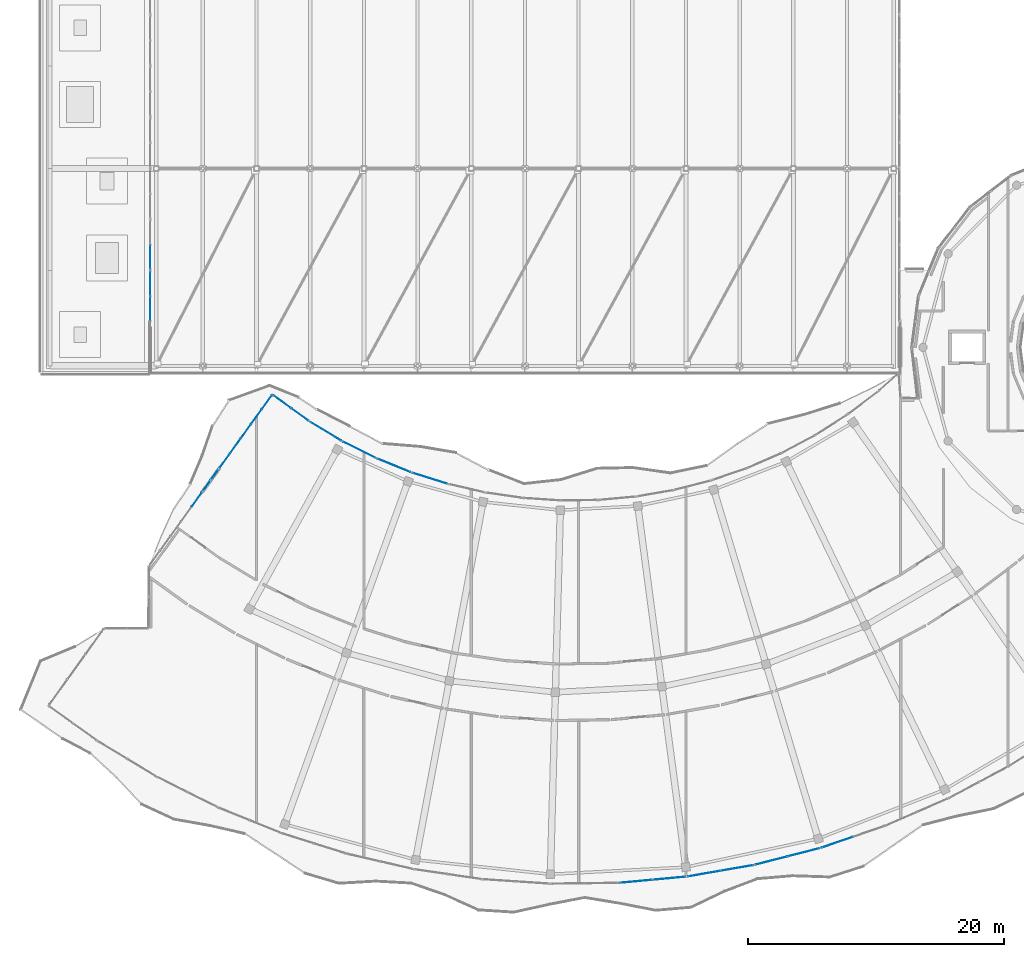
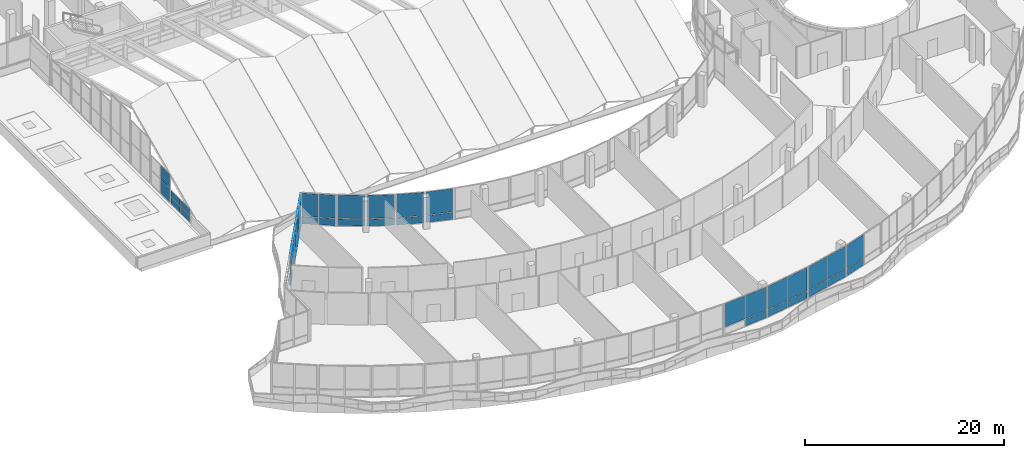
# One storey, part 143 of 184: 51 plates, 14 elements without a shape of their own.
"""IFC4 building model written with IfcOpenShell, lengths in metres."""

from ifc_helpers import new_model, si_unit, direction, frame, origin, origin_2d, place, context, subcontext, project, spatial, rectangle, extrude, material, layer, layer_set, type_object, element, aggregate, save


model = new_model("IFC4")

# Units and contexts
model_context = context("Model", 3, precision=1e-05, world=origin(), true_north=direction((0.0, 1.0)))
body_context = subcontext(model_context, "Body", "Model", "MODEL_VIEW")
ifc_project = project(units=[si_unit("LENGTHUNIT", "METRE"), si_unit("AREAUNIT", "SQUARE_METRE"), si_unit("VOLUMEUNIT", "CUBIC_METRE"), si_unit("PLANEANGLEUNIT", "RADIAN"), si_unit("MASSUNIT", "GRAM", prefix="KILO")], contexts=[model_context])

# Site, building, storey
site_placement = place(None, origin())
site = spatial("IfcSite", under=ifc_project, at=site_placement, CompositionType="ELEMENT")
building_placement = place(site_placement, origin())
building = spatial("IfcBuilding", under=site, at=building_placement, Name="Selatvlak General Hospital", CompositionType="ELEMENT")
storey_placement = place(building_placement, frame((0.0, 0.0, 15.0)))
storey = spatial("IfcBuildingStorey", under=building, at=storey_placement, Name="L03", CompositionType="ELEMENT", Elevation=15.0)

# Curtain wall, plates
ifc_material = material(Name="Solar-control Low-E double glazing", Category="glass")
curtain_wall_type_1 = type_object("IfcCurtainWallType", Name="CW-CW-01", PredefinedType="USERDEFINED", material=ifc_material)
curtain_wall_1_placement = place(storey_placement, origin())
curtain_wall_1 = element("IfcCurtainWall", 1, at=curtain_wall_1_placement, inside=storey, type_object=curtain_wall_type_1, Name="Glazed facade curtain wall CW-L03-0423", ObjectType="UNITISED CURTAIN WALL", PredefinedType="USERDEFINED")
ifc_layer = layer(ifc_material, 0.028076171875, Name="Solar-control Low-E double glazing", Category="glass")
ifc_layer_set = layer_set([ifc_layer], Name="Solar-control Low-E double glazing")
plate_type = type_object("IfcPlateType", Name="CWP-01", PredefinedType="CURTAIN_PANEL", material=ifc_layer_set)
plate_1_placement = place(storey_placement, frame((76.651123046875, 15.278564453125, 0.06494140625), z_axis=(0.0, 0.0, 1.0), x_axis=(-0.945848129563, -0.324609481996, 0.0)))
plate_1 = element("IfcPlate", 2, at=plate_1_placement, type_object=plate_type, Name="CW-01 panel 2.1", PredefinedType="CURTAIN_PANEL", context=body_context, shape_type="SweptSolid", body=[
    extrude(rectangle(XDim=2.547119140625, YDim=0.028076171875, at=origin_2d()), origin(), (0.0, 0.0, 1.0), 0.8525390625),
])
plate_2_placement = place(storey_placement, frame((76.651123046875, 15.278564453125, 0.982421875), z_axis=(0.0, 0.0, 1.0), x_axis=(-0.945848129563, -0.324609481996, 0.0)))
plate_2 = element("IfcPlate", 3, at=plate_2_placement, type_object=plate_type, Name="CW-01 panel 2.2", PredefinedType="CURTAIN_PANEL", context=body_context, shape_type="SweptSolid", body=[
    extrude(rectangle(XDim=2.547119140625, YDim=0.028076171875, at=origin_2d()), origin(), (0.0, 0.0, 1.0), 2.847412109375),
])
aggregate(curtain_wall_1, [plate_1, plate_2])

curtain_wall_type_2 = type_object("IfcCurtainWallType", Name="CW-CW-02", PredefinedType="USERDEFINED", material=ifc_material)
curtain_wall_2_placement = place(storey_placement, origin())
curtain_wall_2 = element("IfcCurtainWall", 4, at=curtain_wall_2_placement, inside=storey, type_object=curtain_wall_type_2, Name="Glazed facade curtain wall CW-L03-0424", ObjectType="UNITISED CURTAIN WALL", PredefinedType="USERDEFINED")
plate_3_placement = place(storey_placement, frame((74.012939453125, 14.49072265625, 0.06494140625), z_axis=(0.0, 0.0, 1.0), x_axis=(-0.968620644098, -0.248543854938, 0.0)))
plate_3 = element("IfcPlate", 5, at=plate_3_placement, type_object=plate_type, Name="CW-02 panel 1.1", PredefinedType="CURTAIN_PANEL", context=body_context, shape_type="SweptSolid", body=[
    extrude(rectangle(XDim=2.5439453125, YDim=0.028076171875, at=origin_2d()), origin(), (0.0, 0.0, 1.0), 0.8525390625),
])
plate_4_placement = place(storey_placement, frame((74.012939453125, 14.49072265625, 0.982421875), z_axis=(0.0, 0.0, 1.0), x_axis=(-0.968620644098, -0.248543854938, 0.0)))
plate_4 = element("IfcPlate", 6, at=plate_4_placement, type_object=plate_type, Name="CW-02 panel 1.2", PredefinedType="CURTAIN_PANEL", context=body_context, shape_type="SweptSolid", body=[
    extrude(rectangle(XDim=2.5439453125, YDim=0.028076171875, at=origin_2d()), origin(), (0.0, 0.0, 1.0), 2.847412109375),
])
plate_5_placement = place(storey_placement, frame((71.486083984375, 13.84228515625, 0.06494140625), z_axis=(0.0, 0.0, 1.0), x_axis=(-0.968620644098, -0.248543854938, 0.0)))
plate_5 = element("IfcPlate", 7, at=plate_5_placement, type_object=plate_type, Name="CW-02 panel 2.1", PredefinedType="CURTAIN_PANEL", context=body_context, shape_type="SweptSolid", body=[
    extrude(rectangle(XDim=2.5439453125, YDim=0.028076171875, at=origin_2d()), origin(), (0.0, 0.0, 1.0), 0.8525390625),
])
plate_6_placement = place(storey_placement, frame((71.486083984375, 13.84228515625, 0.982421875), z_axis=(0.0, 0.0, 1.0), x_axis=(-0.968620644098, -0.248543854938, 0.0)))
plate_6 = element("IfcPlate", 8, at=plate_6_placement, type_object=plate_type, Name="CW-02 panel 2.2", PredefinedType="CURTAIN_PANEL", context=body_context, shape_type="SweptSolid", body=[
    extrude(rectangle(XDim=2.5439453125, YDim=0.028076171875, at=origin_2d()), origin(), (0.0, 0.0, 1.0), 2.847412109375),
])
aggregate(curtain_wall_2, [plate_3, plate_4, plate_5, plate_6])

curtain_wall_3_placement = place(storey_placement, origin())
curtain_wall_3 = element("IfcCurtainWall", 9, at=curtain_wall_3_placement, inside=storey, type_object=curtain_wall_type_1, Name="Glazed facade curtain wall CW-L03-0425", ObjectType="UNITISED CURTAIN WALL", PredefinedType="USERDEFINED")
plate_7_placement = place(storey_placement, frame((68.7939453125, 13.265380859375, 0.06494140625), z_axis=(0.0, 0.0, 1.0), x_axis=(-0.985299104881, -0.170838151242, 0.0)))
plate_7 = element("IfcPlate", 10, at=plate_7_placement, type_object=plate_type, Name="CW-01 panel 1.1", PredefinedType="CURTAIN_PANEL", context=body_context, shape_type="SweptSolid", body=[
    extrude(rectangle(XDim=2.54541015625, YDim=0.028076171875, at=origin_2d()), origin(), (0.0, 0.0, 1.0), 0.8525390625),
])
plate_8_placement = place(storey_placement, frame((68.7939453125, 13.265380859375, 0.982421875), z_axis=(0.0, 0.0, 1.0), x_axis=(-0.985299104881, -0.170838151242, 0.0)))
plate_8 = element("IfcPlate", 11, at=plate_8_placement, type_object=plate_type, Name="CW-01 panel 1.2", PredefinedType="CURTAIN_PANEL", context=body_context, shape_type="SweptSolid", body=[
    extrude(rectangle(XDim=2.54541015625, YDim=0.028076171875, at=origin_2d()), origin(), (0.0, 0.0, 1.0), 2.847412109375),
])
plate_9_placement = place(storey_placement, frame((66.221923828125, 12.819580078125, 0.06494140625), z_axis=(0.0, 0.0, 1.0), x_axis=(-0.985299104881, -0.170838151242, 0.0)))
plate_9 = element("IfcPlate", 12, at=plate_9_placement, type_object=plate_type, Name="CW-01 panel 2.1", PredefinedType="CURTAIN_PANEL", context=body_context, shape_type="SweptSolid", body=[
    extrude(rectangle(XDim=2.54541015625, YDim=0.028076171875, at=origin_2d()), origin(), (0.0, 0.0, 1.0), 0.8525390625),
])
plate_10_placement = place(storey_placement, frame((66.221923828125, 12.819580078125, 0.982421875), z_axis=(0.0, 0.0, 1.0), x_axis=(-0.985299104881, -0.170838151242, 0.0)))
plate_10 = element("IfcPlate", 13, at=plate_10_placement, type_object=plate_type, Name="CW-01 panel 2.2", PredefinedType="CURTAIN_PANEL", context=body_context, shape_type="SweptSolid", body=[
    extrude(rectangle(XDim=2.54541015625, YDim=0.028076171875, at=origin_2d()), origin(), (0.0, 0.0, 1.0), 2.847412109375),
])
aggregate(curtain_wall_3, [plate_7, plate_8, plate_9, plate_10])

curtain_wall_4_placement = place(storey_placement, origin())
curtain_wall_4 = element("IfcCurtainWall", 14, at=curtain_wall_4_placement, inside=storey, type_object=curtain_wall_type_2, Name="Glazed facade curtain wall CW-L03-0426", ObjectType="UNITISED CURTAIN WALL", PredefinedType="USERDEFINED")
plate_11_placement = place(storey_placement, frame((63.491455078125, 12.45849609375, 0.06494140625), z_axis=(0.0, 0.0, 1.0), x_axis=(-0.995731988381, -0.092291967773, 0.0)))
plate_11 = element("IfcPlate", 15, at=plate_11_placement, type_object=plate_type, Name="CW-02 panel 1.1", PredefinedType="CURTAIN_PANEL", context=body_context, shape_type="SweptSolid", body=[
    extrude(rectangle(XDim=2.54638671875, YDim=0.028076171875, at=origin_2d()), origin(), (0.0, 0.0, 1.0), 0.8525390625),
])
plate_12_placement = place(storey_placement, frame((63.491455078125, 12.45849609375, 0.982421875), z_axis=(0.0, 0.0, 1.0), x_axis=(-0.995731988381, -0.092291967773, 0.0)))
plate_12 = element("IfcPlate", 16, at=plate_12_placement, type_object=plate_type, Name="CW-02 panel 1.2", PredefinedType="CURTAIN_PANEL", context=body_context, shape_type="SweptSolid", body=[
    extrude(rectangle(XDim=2.54638671875, YDim=0.028076171875, at=origin_2d()), origin(), (0.0, 0.0, 1.0), 2.847412109375),
])
plate_13_placement = place(storey_placement, frame((60.891357421875, 12.217529296875, 0.982421875), z_axis=(0.0, 0.0, 1.0), x_axis=(-0.995731988381, -0.092291967773, 0.0)))
plate_13 = element("IfcPlate", 17, at=plate_13_placement, type_object=plate_type, Name="CW-02 panel 2.2", PredefinedType="CURTAIN_PANEL", context=body_context, shape_type="SweptSolid", body=[
    extrude(rectangle(XDim=2.54638671875, YDim=0.028076171875, at=origin_2d()), origin(), (0.0, 0.0, 1.0), 2.847412109375),
])
aggregate(curtain_wall_4, [plate_11, plate_12, plate_13])

curtain_wall_5_placement = place(storey_placement, origin())
curtain_wall_5 = element("IfcCurtainWall", 18, at=curtain_wall_5_placement, inside=storey, type_object=curtain_wall_type_2, Name="Glazed facade curtain wall CW-L03-0439", ObjectType="UNITISED CURTAIN WALL", PredefinedType="USERDEFINED")
plate_14_placement = place(storey_placement, frame((27.29638671875, 43.158203125, 2.384765625), z_axis=(0.0, 0.0, 1.0), x_axis=(0.583236596029, 0.812302328602, 0.0)))
plate_14 = element("IfcPlate", 19, at=plate_14_placement, type_object=plate_type, Name="CW-02 panel 1.1", PredefinedType="CURTAIN_PANEL", context=body_context, shape_type="SweptSolid", body=[
    extrude(rectangle(XDim=1.03759765625, YDim=0.028076171875, at=origin_2d()), origin(), (0.0, 0.0, 1.0), 1.445068359375),
])
plate_15_placement = place(storey_placement, frame((27.939453125, 44.0537109375, 2.384765625), z_axis=(0.0, 0.0, 1.0), x_axis=(0.583236596029, 0.812302328602, 0.0)))
plate_15 = element("IfcPlate", 20, at=plate_15_placement, type_object=plate_type, Name="CW-02 panel 2.1", PredefinedType="CURTAIN_PANEL", context=body_context, shape_type="SweptSolid", body=[
    extrude(rectangle(XDim=1.03759765625, YDim=0.028076171875, at=origin_2d()), origin(), (0.0, 0.0, 1.0), 1.445068359375),
])
aggregate(curtain_wall_5, [plate_14, plate_15])

curtain_wall_6_placement = place(storey_placement, origin())
curtain_wall_6 = element("IfcCurtainWall", 21, at=curtain_wall_6_placement, inside=storey, type_object=curtain_wall_type_1, Name="Glazed facade curtain wall CW-L03-0440", ObjectType="UNITISED CURTAIN WALL", PredefinedType="USERDEFINED")
plate_16_placement = place(storey_placement, frame((26.5185546875, 42.076904296875, 0.06494140625), z_axis=(0.0, 0.0, 1.0), x_axis=(0.583929474196, 0.81180439095, 0.0)))
plate_16 = element("IfcPlate", 22, at=plate_16_placement, type_object=plate_type, Name="CW-01 panel 5.1", PredefinedType="CURTAIN_PANEL", context=body_context, shape_type="SweptSolid", body=[
    extrude(rectangle(XDim=1.306884765625, YDim=0.028076171875, at=origin_2d()), origin(), (0.0, 0.0, 1.0), 0.802490234375),
])
plate_17_placement = place(storey_placement, frame((26.5185546875, 42.076904296875, 0.9326171875), z_axis=(0.0, 0.0, 1.0), x_axis=(0.583929474196, 0.81180439095, 0.0)))
plate_17 = element("IfcPlate", 23, at=plate_17_placement, type_object=plate_type, Name="CW-01 panel 5.2", PredefinedType="CURTAIN_PANEL", context=body_context, shape_type="SweptSolid", body=[
    extrude(rectangle(XDim=1.306884765625, YDim=0.028076171875, at=origin_2d()), origin(), (0.0, 0.0, 1.0), 2.280029296875),
])
plate_18_placement = place(storey_placement, frame((26.5185546875, 42.076904296875, 3.27734375), z_axis=(0.0, 0.0, 1.0), x_axis=(0.583929474196, 0.81180439095, 0.0)))
plate_18 = element("IfcPlate", 24, at=plate_18_placement, type_object=plate_type, Name="CW-01 panel 5.3", PredefinedType="CURTAIN_PANEL", context=body_context, shape_type="SweptSolid", body=[
    extrude(rectangle(XDim=1.306884765625, YDim=0.028076171875, at=origin_2d()), origin(), (0.0, 0.0, 1.0), 0.552490234375),
])
aggregate(curtain_wall_6, [plate_16, plate_17, plate_18])

curtain_wall_7_placement = place(storey_placement, origin())
curtain_wall_7 = element("IfcCurtainWall", 25, at=curtain_wall_7_placement, inside=storey, type_object=curtain_wall_type_1, Name="Glazed facade curtain wall CW-L03-0441", ObjectType="UNITISED CURTAIN WALL", PredefinedType="USERDEFINED")
plate_19_placement = place(storey_placement, frame((28.720458984375, 45.139404296875, 0.06494140625), z_axis=(0.0, 0.0, 1.0), x_axis=(0.583883694145, 0.811837318502, 0.0)))
plate_19 = element("IfcPlate", 26, at=plate_19_placement, type_object=plate_type, Name="CW-01 panel 1.1", PredefinedType="CURTAIN_PANEL", context=body_context, shape_type="SweptSolid", body=[
    extrude(rectangle(XDim=1.31689453125, YDim=0.028076171875, at=origin_2d()), origin(), (0.0, 0.0, 1.0), 0.802490234375),
])
plate_20_placement = place(storey_placement, frame((28.720458984375, 45.139404296875, 0.9326171875), z_axis=(0.0, 0.0, 1.0), x_axis=(0.583883694145, 0.811837318502, 0.0)))
plate_20 = element("IfcPlate", 27, at=plate_20_placement, type_object=plate_type, Name="CW-01 panel 1.2", PredefinedType="CURTAIN_PANEL", context=body_context, shape_type="SweptSolid", body=[
    extrude(rectangle(XDim=1.31689453125, YDim=0.028076171875, at=origin_2d()), origin(), (0.0, 0.0, 1.0), 2.280029296875),
])
plate_21_placement = place(storey_placement, frame((28.720458984375, 45.139404296875, 3.27734375), z_axis=(0.0, 0.0, 1.0), x_axis=(0.583883694145, 0.811837318502, 0.0)))
plate_21 = element("IfcPlate", 28, at=plate_21_placement, type_object=plate_type, Name="CW-01 panel 1.3", PredefinedType="CURTAIN_PANEL", context=body_context, shape_type="SweptSolid", body=[
    extrude(rectangle(XDim=1.31689453125, YDim=0.028076171875, at=origin_2d()), origin(), (0.0, 0.0, 1.0), 0.552490234375),
])
plate_22_placement = place(storey_placement, frame((29.53662109375, 46.2744140625, 0.06494140625), z_axis=(0.0, 0.0, 1.0), x_axis=(0.583883694145, 0.811837318502, 0.0)))
plate_22 = element("IfcPlate", 29, at=plate_22_placement, type_object=plate_type, Name="CW-01 panel 2.1", PredefinedType="CURTAIN_PANEL", context=body_context, shape_type="SweptSolid", body=[
    extrude(rectangle(XDim=1.349365234375, YDim=0.028076171875, at=origin_2d()), origin(), (0.0, 0.0, 1.0), 0.802490234375),
])
plate_23_placement = place(storey_placement, frame((29.53662109375, 46.2744140625, 0.9326171875), z_axis=(0.0, 0.0, 1.0), x_axis=(0.583883694145, 0.811837318502, 0.0)))
plate_23 = element("IfcPlate", 30, at=plate_23_placement, type_object=plate_type, Name="CW-01 panel 2.2", PredefinedType="CURTAIN_PANEL", context=body_context, shape_type="SweptSolid", body=[
    extrude(rectangle(XDim=1.349365234375, YDim=0.028076171875, at=origin_2d()), origin(), (0.0, 0.0, 1.0), 2.280029296875),
])
plate_24_placement = place(storey_placement, frame((29.53662109375, 46.2744140625, 3.27734375), z_axis=(0.0, 0.0, 1.0), x_axis=(0.583883694145, 0.811837318502, 0.0)))
plate_24 = element("IfcPlate", 31, at=plate_24_placement, type_object=plate_type, Name="CW-01 panel 2.3", PredefinedType="CURTAIN_PANEL", context=body_context, shape_type="SweptSolid", body=[
    extrude(rectangle(XDim=1.349365234375, YDim=0.028076171875, at=origin_2d()), origin(), (0.0, 0.0, 1.0), 0.552490234375),
])
plate_25_placement = place(storey_placement, frame((30.362548828125, 47.422607421875, 0.06494140625), z_axis=(0.0, 0.0, 1.0), x_axis=(0.583883694145, 0.811837318502, 0.0)))
plate_25 = element("IfcPlate", 32, at=plate_25_placement, type_object=plate_type, Name="CW-01 panel 3.1", PredefinedType="CURTAIN_PANEL", context=body_context, shape_type="SweptSolid", body=[
    extrude(rectangle(XDim=1.349365234375, YDim=0.028076171875, at=origin_2d()), origin(), (0.0, 0.0, 1.0), 0.802490234375),
])
plate_26_placement = place(storey_placement, frame((30.362548828125, 47.422607421875, 0.9326171875), z_axis=(0.0, 0.0, 1.0), x_axis=(0.583883694145, 0.811837318502, 0.0)))
plate_26 = element("IfcPlate", 33, at=plate_26_placement, type_object=plate_type, Name="CW-01 panel 3.2", PredefinedType="CURTAIN_PANEL", context=body_context, shape_type="SweptSolid", body=[
    extrude(rectangle(XDim=1.349365234375, YDim=0.028076171875, at=origin_2d()), origin(), (0.0, 0.0, 1.0), 2.280029296875),
])
plate_27_placement = place(storey_placement, frame((30.362548828125, 47.422607421875, 3.27734375), z_axis=(0.0, 0.0, 1.0), x_axis=(0.583883694145, 0.811837318502, 0.0)))
plate_27 = element("IfcPlate", 34, at=plate_27_placement, type_object=plate_type, Name="CW-01 panel 3.3", PredefinedType="CURTAIN_PANEL", context=body_context, shape_type="SweptSolid", body=[
    extrude(rectangle(XDim=1.349365234375, YDim=0.028076171875, at=origin_2d()), origin(), (0.0, 0.0, 1.0), 0.552490234375),
])
plate_28_placement = place(storey_placement, frame((31.188232421875, 48.57080078125, 0.06494140625), z_axis=(0.0, 0.0, 1.0), x_axis=(0.583883694145, 0.811837318502, 0.0)))
plate_28 = element("IfcPlate", 35, at=plate_28_placement, type_object=plate_type, Name="CW-01 panel 4.1", PredefinedType="CURTAIN_PANEL", context=body_context, shape_type="SweptSolid", body=[
    extrude(rectangle(XDim=1.349365234375, YDim=0.028076171875, at=origin_2d()), origin(), (0.0, 0.0, 1.0), 0.802490234375),
])
plate_29_placement = place(storey_placement, frame((31.188232421875, 48.57080078125, 0.9326171875), z_axis=(0.0, 0.0, 1.0), x_axis=(0.583883694145, 0.811837318502, 0.0)))
plate_29 = element("IfcPlate", 36, at=plate_29_placement, type_object=plate_type, Name="CW-01 panel 4.2", PredefinedType="CURTAIN_PANEL", context=body_context, shape_type="SweptSolid", body=[
    extrude(rectangle(XDim=1.349365234375, YDim=0.028076171875, at=origin_2d()), origin(), (0.0, 0.0, 1.0), 2.280029296875),
])
plate_30_placement = place(storey_placement, frame((31.188232421875, 48.57080078125, 3.27734375), z_axis=(0.0, 0.0, 1.0), x_axis=(0.583883694145, 0.811837318502, 0.0)))
plate_30 = element("IfcPlate", 37, at=plate_30_placement, type_object=plate_type, Name="CW-01 panel 4.3", PredefinedType="CURTAIN_PANEL", context=body_context, shape_type="SweptSolid", body=[
    extrude(rectangle(XDim=1.349365234375, YDim=0.028076171875, at=origin_2d()), origin(), (0.0, 0.0, 1.0), 0.552490234375),
])
plate_31_placement = place(storey_placement, frame((32.004638671875, 49.705810546875, 0.06494140625), z_axis=(0.0, 0.0, 1.0), x_axis=(0.583883694145, 0.811837318502, 0.0)))
plate_31 = element("IfcPlate", 38, at=plate_31_placement, type_object=plate_type, Name="CW-01 panel 5.1", PredefinedType="CURTAIN_PANEL", context=body_context, shape_type="SweptSolid", body=[
    extrude(rectangle(XDim=1.31689453125, YDim=0.028076171875, at=origin_2d()), origin(), (0.0, 0.0, 1.0), 0.802490234375),
])
plate_32_placement = place(storey_placement, frame((32.004638671875, 49.705810546875, 0.9326171875), z_axis=(0.0, 0.0, 1.0), x_axis=(0.583883694145, 0.811837318502, 0.0)))
plate_32 = element("IfcPlate", 39, at=plate_32_placement, type_object=plate_type, Name="CW-01 panel 5.2", PredefinedType="CURTAIN_PANEL", context=body_context, shape_type="SweptSolid", body=[
    extrude(rectangle(XDim=1.31689453125, YDim=0.028076171875, at=origin_2d()), origin(), (0.0, 0.0, 1.0), 2.280029296875),
])
plate_33_placement = place(storey_placement, frame((32.004638671875, 49.705810546875, 3.27734375), z_axis=(0.0, 0.0, 1.0), x_axis=(0.583883694145, 0.811837318502, 0.0)))
plate_33 = element("IfcPlate", 40, at=plate_33_placement, type_object=plate_type, Name="CW-01 panel 5.3", PredefinedType="CURTAIN_PANEL", context=body_context, shape_type="SweptSolid", body=[
    extrude(rectangle(XDim=1.31689453125, YDim=0.028076171875, at=origin_2d()), origin(), (0.0, 0.0, 1.0), 0.552490234375),
])
aggregate(curtain_wall_7, [plate_19, plate_20, plate_21, plate_22, plate_23, plate_24, plate_25, plate_26, plate_27, plate_28, plate_29, plate_30, plate_31, plate_32, plate_33])

curtain_wall_8_placement = place(storey_placement, origin())
curtain_wall_8 = element("IfcCurtainWall", 41, at=curtain_wall_8_placement, inside=storey, type_object=curtain_wall_type_2, Name="Glazed facade curtain wall CW-L03-0442", ObjectType="UNITISED CURTAIN WALL", PredefinedType="USERDEFINED")
plate_34_placement = place(storey_placement, frame((33.208984375, 49.7451171875, 0.06494140625), z_axis=(0.0, 0.0, 1.0), x_axis=(0.810082716622, -0.58631560804, 0.0)))
plate_34 = element("IfcPlate", 42, at=plate_34_placement, type_object=plate_type, Name="CW-02 panel 1.1", PredefinedType="CURTAIN_PANEL", context=body_context, shape_type="SweptSolid", body=[
    extrude(rectangle(XDim=1.64990234375, YDim=0.028076171875, at=origin_2d()), origin(), (0.0, 0.0, 1.0), 0.8525390625),
])
plate_35_placement = place(storey_placement, frame((33.208984375, 49.7451171875, 0.982421875), z_axis=(0.0, 0.0, 1.0), x_axis=(0.810082716622, -0.58631560804, 0.0)))
plate_35 = element("IfcPlate", 43, at=plate_35_placement, type_object=plate_type, Name="CW-02 panel 1.2", PredefinedType="CURTAIN_PANEL", context=body_context, shape_type="SweptSolid", body=[
    extrude(rectangle(XDim=1.64990234375, YDim=0.028076171875, at=origin_2d()), origin(), (0.0, 0.0, 1.0), 2.847412109375),
])
plate_36_placement = place(storey_placement, frame((34.59814453125, 48.73974609375, 0.06494140625), z_axis=(0.0, 0.0, 1.0), x_axis=(0.810082716622, -0.58631560804, 0.0)))
plate_36 = element("IfcPlate", 44, at=plate_36_placement, type_object=plate_type, Name="CW-02 panel 2.1", PredefinedType="CURTAIN_PANEL", context=body_context, shape_type="SweptSolid", body=[
    extrude(rectangle(XDim=1.64990234375, YDim=0.028076171875, at=origin_2d()), origin(), (0.0, 0.0, 1.0), 0.8525390625),
])
plate_37_placement = place(storey_placement, frame((34.59814453125, 48.73974609375, 0.982421875), z_axis=(0.0, 0.0, 1.0), x_axis=(0.810082716622, -0.58631560804, 0.0)))
plate_37 = element("IfcPlate", 45, at=plate_37_placement, type_object=plate_type, Name="CW-02 panel 2.2", PredefinedType="CURTAIN_PANEL", context=body_context, shape_type="SweptSolid", body=[
    extrude(rectangle(XDim=1.64990234375, YDim=0.028076171875, at=origin_2d()), origin(), (0.0, 0.0, 1.0), 2.847412109375),
])
aggregate(curtain_wall_8, [plate_34, plate_35, plate_36, plate_37])

curtain_wall_9_placement = place(storey_placement, origin())
curtain_wall_9 = element("IfcCurtainWall", 46, at=curtain_wall_9_placement, inside=storey, type_object=curtain_wall_type_1, Name="Glazed facade curtain wall CW-L03-0443", ObjectType="UNITISED CURTAIN WALL", PredefinedType="USERDEFINED")
plate_38_placement = place(storey_placement, frame((36.62744140625, 47.425048828125, 0.06494140625), z_axis=(0.0, 0.0, 1.0), x_axis=(0.85575329293, -0.517384094885, 0.0)))
plate_38 = element("IfcPlate", 47, at=plate_38_placement, type_object=plate_type, Name="CW-01 panel 1.1", PredefinedType="CURTAIN_PANEL", context=body_context, shape_type="SweptSolid", body=[
    extrude(rectangle(XDim=2.769287109375, YDim=0.028076171875, at=origin_2d()), origin(), (0.0, 0.0, 1.0), 0.8525390625),
])
plate_39_placement = place(storey_placement, frame((36.62744140625, 47.425048828125, 0.982421875), z_axis=(0.0, 0.0, 1.0), x_axis=(0.85575329293, -0.517384094885, 0.0)))
plate_39 = element("IfcPlate", 48, at=plate_39_placement, type_object=plate_type, Name="CW-01 panel 1.2", PredefinedType="CURTAIN_PANEL", context=body_context, shape_type="SweptSolid", body=[
    extrude(rectangle(XDim=2.769287109375, YDim=0.028076171875, at=origin_2d()), origin(), (0.0, 0.0, 1.0), 2.847412109375),
])
aggregate(curtain_wall_9, [plate_38, plate_39])

curtain_wall_10_placement = place(storey_placement, origin())
curtain_wall_10 = element("IfcCurtainWall", 49, at=curtain_wall_10_placement, inside=storey, type_object=curtain_wall_type_2, Name="Glazed facade curtain wall CW-L03-0444", ObjectType="UNITISED CURTAIN WALL", PredefinedType="USERDEFINED")
plate_40_placement = place(storey_placement, frame((39.236572265625, 45.988525390625, 0.06494140625), z_axis=(0.0, 0.0, 1.0), x_axis=(0.894220339262, -0.447627060006, 0.0)))
plate_40 = element("IfcPlate", 50, at=plate_40_placement, type_object=plate_type, Name="CW-02 panel 1.1", PredefinedType="CURTAIN_PANEL", context=body_context, shape_type="SweptSolid", body=[
    extrude(rectangle(XDim=2.77197265625, YDim=0.028076171875, at=origin_2d()), origin(), (0.0, 0.0, 1.0), 0.8525390625),
])
plate_41_placement = place(storey_placement, frame((39.236572265625, 45.988525390625, 0.982421875), z_axis=(0.0, 0.0, 1.0), x_axis=(0.894220339262, -0.447627060006, 0.0)))
plate_41 = element("IfcPlate", 51, at=plate_41_placement, type_object=plate_type, Name="CW-02 panel 1.2", PredefinedType="CURTAIN_PANEL", context=body_context, shape_type="SweptSolid", body=[
    extrude(rectangle(XDim=2.77197265625, YDim=0.028076171875, at=origin_2d()), origin(), (0.0, 0.0, 1.0), 2.847412109375),
])
aggregate(curtain_wall_10, [plate_40, plate_41])

curtain_wall_11_placement = place(storey_placement, origin())
curtain_wall_11 = element("IfcCurtainWall", 52, at=curtain_wall_11_placement, inside=storey, type_object=curtain_wall_type_1, Name="Glazed facade curtain wall CW-L03-0445", ObjectType="UNITISED CURTAIN WALL", PredefinedType="USERDEFINED")
plate_42_placement = place(storey_placement, frame((41.951904296875, 44.762939453125, 0.06494140625), z_axis=(0.0, 0.0, 1.0), x_axis=(0.927043807949, -0.374953034584, 0.0)))
plate_42 = element("IfcPlate", 53, at=plate_42_placement, type_object=plate_type, Name="CW-01 panel 1.1", PredefinedType="CURTAIN_PANEL", context=body_context, shape_type="SweptSolid", body=[
    extrude(rectangle(XDim=2.771728515625, YDim=0.028076171875, at=origin_2d()), origin(), (0.0, 0.0, 1.0), 0.8525390625),
])
plate_43_placement = place(storey_placement, frame((41.951904296875, 44.762939453125, 0.982421875), z_axis=(0.0, 0.0, 1.0), x_axis=(0.927043807949, -0.374953034584, 0.0)))
plate_43 = element("IfcPlate", 54, at=plate_43_placement, type_object=plate_type, Name="CW-01 panel 1.2", PredefinedType="CURTAIN_PANEL", context=body_context, shape_type="SweptSolid", body=[
    extrude(rectangle(XDim=2.771728515625, YDim=0.028076171875, at=origin_2d()), origin(), (0.0, 0.0, 1.0), 2.847412109375),
])
aggregate(curtain_wall_11, [plate_42, plate_43])

curtain_wall_12_placement = place(storey_placement, origin())
curtain_wall_12 = element("IfcCurtainWall", 55, at=curtain_wall_12_placement, inside=storey, type_object=curtain_wall_type_2, Name="Glazed facade curtain wall CW-L03-0446", ObjectType="UNITISED CURTAIN WALL", PredefinedType="USERDEFINED")
plate_44_placement = place(storey_placement, frame((44.757568359375, 43.757080078125, 0.06494140625), z_axis=(0.0, 0.0, 1.0), x_axis=(0.953821840084, -0.300372930504, 0.0)))
plate_44 = element("IfcPlate", 56, at=plate_44_placement, type_object=plate_type, Name="CW-02 panel 1.1", PredefinedType="CURTAIN_PANEL", context=body_context, shape_type="SweptSolid", body=[
    extrude(rectangle(XDim=2.77294921875, YDim=0.028076171875, at=origin_2d()), origin(), (0.0, 0.0, 1.0), 0.8525390625),
])
plate_45_placement = place(storey_placement, frame((44.757568359375, 43.757080078125, 0.982421875), z_axis=(0.0, 0.0, 1.0), x_axis=(0.953821840084, -0.300372930504, 0.0)))
plate_45 = element("IfcPlate", 57, at=plate_45_placement, type_object=plate_type, Name="CW-02 panel 1.2", PredefinedType="CURTAIN_PANEL", context=body_context, shape_type="SweptSolid", body=[
    extrude(rectangle(XDim=2.77294921875, YDim=0.028076171875, at=origin_2d()), origin(), (0.0, 0.0, 1.0), 2.847412109375),
])
aggregate(curtain_wall_12, [plate_44, plate_45])

curtain_wall_type_3 = type_object("IfcCurtainWallType", Name="CW-CW-05", PredefinedType="USERDEFINED", material=ifc_material)
curtain_wall_13_placement = place(storey_placement, origin())
curtain_wall_13 = element("IfcCurtainWall", 58, at=curtain_wall_13_placement, inside=storey, type_object=curtain_wall_type_3, Name="Glazed facade curtain wall CW-L03-0723", ObjectType="STICK GLAZING WALL", PredefinedType="USERDEFINED")
plate_46_placement = place(storey_placement, frame((22.8798828125, 57.023681640625, 0.06494140625), z_axis=(0.0, 0.0, 1.0), x_axis=(0.0, 1.0, 0.0)))
plate_46 = element("IfcPlate", 59, at=plate_46_placement, type_object=plate_type, Name="CW-05 panel 1.1", PredefinedType="CURTAIN_PANEL", context=body_context, shape_type="SweptSolid", body=[
    extrude(rectangle(XDim=1.887451171875, YDim=0.028076171875, at=origin_2d()), origin(), (0.0, 0.0, 1.0), 0.777587890625),
])
plate_47_placement = place(storey_placement, frame((22.8798828125, 57.023681640625, 0.9072265625), z_axis=(0.0, 0.0, 1.0), x_axis=(0.0, 1.0, 0.0)))
plate_47 = element("IfcPlate", 60, at=plate_47_placement, type_object=plate_type, Name="CW-05 panel 1.2", PredefinedType="CURTAIN_PANEL", context=body_context, shape_type="SweptSolid", body=[
    extrude(rectangle(XDim=1.887451171875, YDim=0.028076171875, at=origin_2d()), origin(), (0.0, 0.0, 1.0), 0.777587890625),
])
plate_48_placement = place(storey_placement, frame((22.8798828125, 58.976318359375, 0.06494140625), z_axis=(0.0, 0.0, 1.0), x_axis=(0.0, 1.0, 0.0)))
plate_48 = element("IfcPlate", 61, at=plate_48_placement, type_object=plate_type, Name="CW-05 panel 2.1", PredefinedType="CURTAIN_PANEL", context=body_context, shape_type="SweptSolid", body=[
    extrude(rectangle(XDim=1.887451171875, YDim=0.028076171875, at=origin_2d()), origin(), (0.0, 0.0, 1.0), 0.777587890625),
])
plate_49_placement = place(storey_placement, frame((22.8798828125, 58.976318359375, 0.9072265625), z_axis=(0.0, 0.0, 1.0), x_axis=(0.0, 1.0, 0.0)))
plate_49 = element("IfcPlate", 62, at=plate_49_placement, type_object=plate_type, Name="CW-05 panel 2.2", PredefinedType="CURTAIN_PANEL", context=body_context, shape_type="SweptSolid", body=[
    extrude(rectangle(XDim=1.887451171875, YDim=0.028076171875, at=origin_2d()), origin(), (0.0, 0.0, 1.0), 0.777587890625),
])
aggregate(curtain_wall_13, [plate_46, plate_47, plate_48, plate_49])

curtain_wall_14_placement = place(storey_placement, origin())
curtain_wall_14 = element("IfcCurtainWall", 63, at=curtain_wall_14_placement, inside=storey, type_object=curtain_wall_type_3, Name="Glazed facade curtain wall CW-L03-0724", ObjectType="STICK GLAZING WALL", PredefinedType="USERDEFINED")
plate_50_placement = place(storey_placement, frame((22.8798828125, 61.061279296875, 0.06494140625), z_axis=(0.0, 0.0, 1.0), x_axis=(0.0, 1.0, 0.0)))
plate_50 = element("IfcPlate", 64, at=plate_50_placement, type_object=plate_type, Name="CW-05 panel 1.1", PredefinedType="CURTAIN_PANEL", context=body_context, shape_type="SweptSolid", body=[
    extrude(rectangle(XDim=1.862548828125, YDim=0.028076171875, at=origin_2d()), origin(), (0.0, 0.0, 1.0), 1.702392578125),
])
plate_51_placement = place(storey_placement, frame((22.8798828125, 61.061279296875, 1.83251953125), z_axis=(0.0, 0.0, 1.0), x_axis=(0.0, 1.0, 0.0)))
plate_51 = element("IfcPlate", 65, at=plate_51_placement, type_object=plate_type, Name="CW-05 panel 1.2", PredefinedType="CURTAIN_PANEL", context=body_context, shape_type="SweptSolid", body=[
    extrude(rectangle(XDim=1.862548828125, YDim=0.028076171875, at=origin_2d()), origin(), (0.0, 0.0, 1.0), 1.702392578125),
])
aggregate(curtain_wall_14, [plate_50, plate_51])

save(model, "model.ifc")
